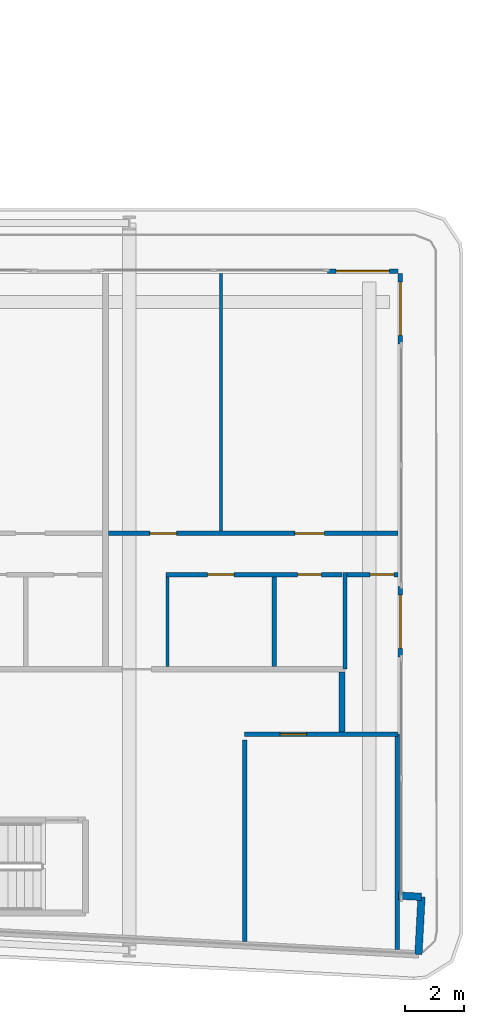
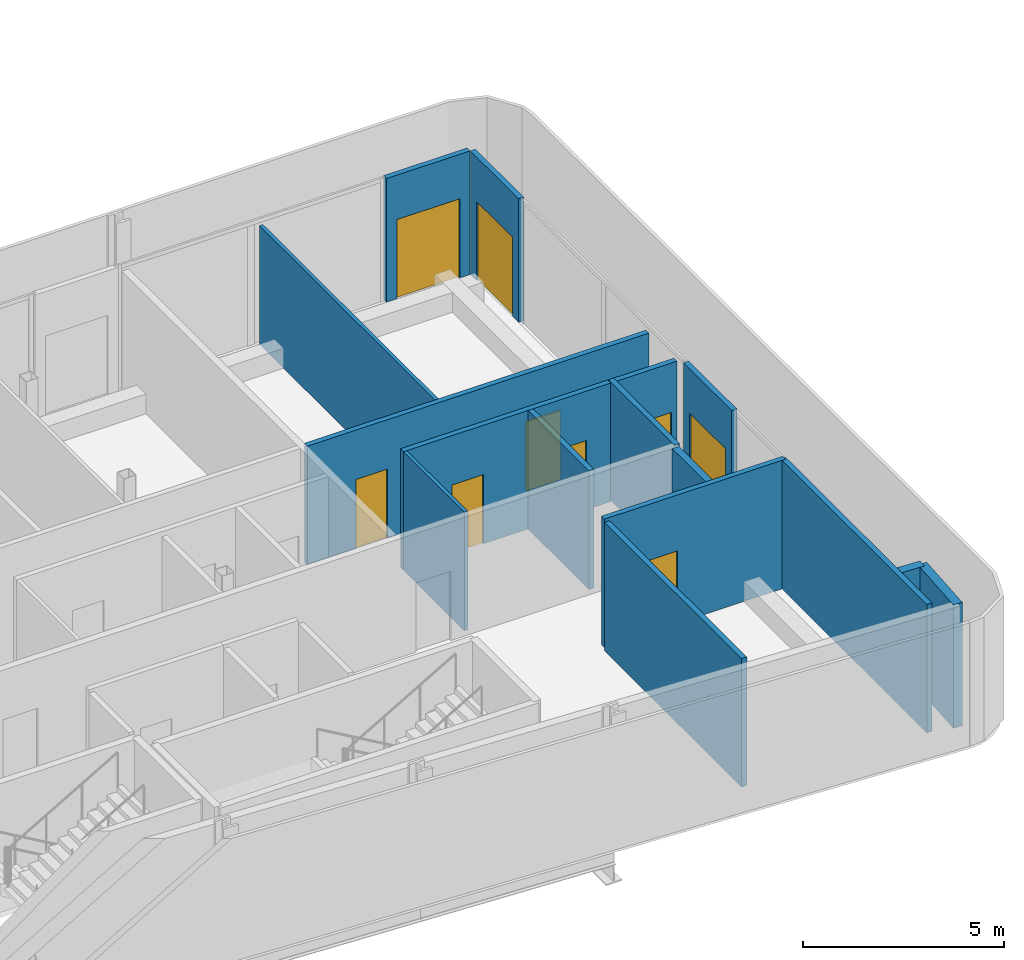
# One storey, part 18 of 27: 16 walls, 9 doors, 9 openings.
"""IFC4 building model written with IfcOpenShell, lengths in metres."""

from ifc_helpers import new_model, si_unit, direction, frame, frame_2d, origin, place, context, subcontext, project, spatial, rectangle, extrude, source, transform, mapped, material, layer, layer_set, type_object, element, fill, save


model = new_model("IFC4")

# Units and contexts
model_context = context("Model", 3, precision=1e-05, world=origin(), true_north=direction((0.0, 1.0)))
body_context = subcontext(model_context, "Body", "Model", "MODEL_VIEW")
ifc_project = project(units=[si_unit("LENGTHUNIT", "METRE"), si_unit("AREAUNIT", "SQUARE_METRE"), si_unit("VOLUMEUNIT", "CUBIC_METRE"), si_unit("PLANEANGLEUNIT", "RADIAN"), si_unit("MASSUNIT", "GRAM", prefix="KILO")], contexts=[model_context])

# Site, building, storey
site_placement = place(None, origin())
site = spatial("IfcSite", under=ifc_project, at=site_placement, CompositionType="ELEMENT")
building_placement = place(site_placement, origin())
building = spatial("IfcBuilding", under=site, at=building_placement, Name="Kheshtan School and Residences Tower", CompositionType="ELEMENT")
storey_placement = place(building_placement, frame((0.0, 0.0, 53.89990234375)))
storey = spatial("IfcBuildingStorey", under=building, at=storey_placement, Name="L12", CompositionType="ELEMENT", Elevation=53.89990234375)

# Walls
ifc_material_1 = material(Name="Gypsum board on steel studs with fire boards", Category="steel")
ifc_layer_1 = layer(ifc_material_1, 0.199951171875)
ifc_layer_set_1 = layer_set([ifc_layer_1], Name="Corridor wall 200")
wall_type_1 = type_object("IfcWallType", Name="Corridor wall 200", PredefinedType="PARTITIONING", material=ifc_layer_set_1)
wall_1_placement = place(storey_placement, frame((98.0, 28.3740234375, 0.0), z_axis=(0.0, 0.0, 1.0), x_axis=(0.0, 1.0, 0.0)))
element("IfcWall", 1, at=wall_1_placement, inside=storey, type_object=wall_type_1, Name="Partition L12-080", PredefinedType="PARTITIONING", context=body_context, shape_type="SweptSolid", body=[
    extrude(rectangle(XDim=2.02587890625, YDim=0.199951171875, at=frame_2d((1.012939453125, 0.0))), origin(), (0.0, 0.0, 1.0), 3.60009765625),
])
ifc_material_2 = material(Name="Concrete C40/50 with ceramic cladding and mineral wool insulation", Category="concrete")
ifc_layer_2 = layer(ifc_material_2, 0.25)
ifc_layer_set_2 = layer_set([ifc_layer_2], Name="External wall 250 ceramic clad")
wall_type_2 = type_object("IfcWallType", Name="External wall 250 ceramic clad", PredefinedType="SOLIDWALL", material=ifc_layer_set_2)
wall_2_placement = place(storey_placement, frame((99.906982421875, 22.839111328125, 0.0), z_axis=(0.0, 0.0, 1.0), x_axis=(0.998561284263, -0.053622398031, 0.0)))
element("IfcWall", 2, at=wall_2_placement, inside=storey, type_object=wall_type_2, Name="External wall L12 14", PredefinedType="SOLIDWALL", context=body_context, shape_type="SweptSolid", body=[
    extrude(rectangle(XDim=0.783203125, YDim=0.25, at=frame_2d((0.3916015625, 0.0))), origin(), (0.0, 0.0, 1.0), 3.75),
])
wall_3_placement = place(storey_placement, frame((100.68896484375, 22.797119140625, 0.0), z_axis=(0.0, 0.0, 1.0), x_axis=(-0.052841433274, -0.998602915542, 0.0)))
element("IfcWall", 3, at=wall_3_placement, inside=storey, type_object=wall_type_2, Name="External wall L12 15", PredefinedType="SOLIDWALL", context=body_context, shape_type="SweptSolid", body=[
    extrude(rectangle(XDim=1.94970703125, YDim=0.25, at=frame_2d((0.974853515625, 0.0))), origin(), (0.0, 0.0, 1.0), 3.75),
])

# Wall, opening, door
ifc_material_3 = material(Name="Aluminium frame wall with insulated infill", Category="aluminium")
ifc_layer_3 = layer(ifc_material_3, 0.14990234375)
ifc_layer_set_3 = layer_set([ifc_layer_3], Name="Glazing frame wall 150")
wall_type_3 = type_object("IfcWallType", Name="Glazing frame wall 150", PredefinedType="SOLIDWALL", material=ifc_layer_set_3)
wall_4_placement = place(storey_placement, frame((97.5, 43.97509765625, 0.0), z_axis=(0.0, 0.0, 1.0), x_axis=(1.0, 0.0, 0.0)))
wall_4 = element("IfcWall", 4, at=wall_4_placement, inside=storey, type_object=wall_type_3, Name="Balcony door wall L12 12.5", PredefinedType="SOLIDWALL", context=body_context, shape_type="SweptSolid", body=[
    extrude(rectangle(XDim=2.39990234375, YDim=0.14990234375, at=frame_2d((1.199951171875, 0.0))), origin(), (0.0, 0.0, 1.0), 3.75),
])
opening_1_placement = place(wall_4_placement, frame((0.300048828125, 0.0, 0.0)))
opening_1 = element("IfcOpeningElement", 5, at=opening_1_placement, cuts=wall_4, Name="Opening BD", PredefinedType="OPENING", context=body_context, shape_type="SweptSolid", body=[
    extrude(rectangle(XDim=1.800048828125, YDim=2.39990234375, at=frame_2d((0.89990234375, 1.199951171875))), frame((0.0, 0.0849609375, 0.0), z_axis=(0.0, -1.0, 0.0), x_axis=(1.0, 0.0, 0.0)), (0.0, 0.0, 1.0), 0.169921875),
])
ifc_material_4 = material(Name="Clear low-e glass in thermally broken aluminium frame", Category="aluminium")
door_type_1 = type_object("IfcDoorType", Name="Balcony sliding door", OperationType="SLIDING_TO_LEFT", PredefinedType="DOOR", material=ifc_material_4)
shared_shape_1 = source(origin(), body_context, "Body", "SweptSolid", [
    extrude(rectangle(XDim=1.800048828125, YDim=2.39990234375, at=frame_2d((0.89990234375, 1.199951171875))), frame((0.0, 0.02490234375, 0.0), z_axis=(0.0, -1.0, 0.0), x_axis=(1.0, 0.0, 0.0)), (0.0, 0.0, 1.0), 0.050048828125),
])
door_1_placement = place(opening_1_placement, origin())
door_1 = element("IfcDoor", 6, at=door_1_placement, inside=storey, type_object=door_type_1, Name="Balcony door L12 12.5", OperationType="SLIDING_TO_LEFT", OverallHeight=2.39990234375, OverallWidth=1.800048828125, PredefinedType="DOOR", context=body_context, shape_type="MappedRepresentation", body=[
    mapped(shared_shape_1, transform((0.0, 0.0, 0.0), x_axis=(1.0, 0.0, 0.0), y_axis=(0.0, 1.0, 0.0), z_axis=(0.0, 0.0, 1.0), scale=1.0)),
])
fill(opening_1, door_1)

wall_5_placement = place(storey_placement, frame((99.97509765625, 43.89990234375, 0.0), z_axis=(0.0, 0.0, 1.0), x_axis=(0.0, -1.0, 0.0)))
wall_5 = element("IfcWall", 7, at=wall_5_placement, inside=storey, type_object=wall_type_3, Name="Balcony door wall L12 13.1", PredefinedType="SOLIDWALL", context=body_context, shape_type="SweptSolid", body=[
    extrude(rectangle(XDim=2.39990234375, YDim=0.14990234375, at=frame_2d((1.199951171875, 0.0))), origin(), (0.0, 0.0, 1.0), 3.75),
])
opening_2_placement = place(wall_5_placement, frame((0.300048828125, 0.0, 0.0)))
opening_2 = element("IfcOpeningElement", 8, at=opening_2_placement, cuts=wall_5, Name="Opening BD", PredefinedType="OPENING", context=body_context, shape_type="SweptSolid", body=[
    extrude(rectangle(XDim=1.800048828125, YDim=2.39990234375, at=frame_2d((0.89990234375, 1.199951171875))), frame((0.0, 0.0849609375, 0.0), z_axis=(0.0, -1.0, 0.0), x_axis=(1.0, 0.0, 0.0)), (0.0, 0.0, 1.0), 0.169921875),
])
door_2_placement = place(opening_2_placement, origin())
door_2 = element("IfcDoor", 9, at=door_2_placement, inside=storey, type_object=door_type_1, Name="Balcony door L12 13.1", OperationType="SLIDING_TO_LEFT", OverallHeight=2.39990234375, OverallWidth=1.800048828125, PredefinedType="DOOR", context=body_context, shape_type="MappedRepresentation", body=[
    mapped(shared_shape_1, transform((0.0, 0.0, 0.0), x_axis=(1.0, 0.0, 0.0), y_axis=(0.0, 1.0, 0.0), z_axis=(0.0, 0.0, 1.0), scale=1.0)),
])
fill(opening_2, door_2)

wall_6_placement = place(storey_placement, frame((99.97509765625, 33.306884765625, 0.0), z_axis=(0.0, 0.0, 1.0), x_axis=(0.0, -1.0, 0.0)))
wall_6 = element("IfcWall", 10, at=wall_6_placement, inside=storey, type_object=wall_type_3, Name="Balcony door wall L12 13.2", PredefinedType="SOLIDWALL", context=body_context, shape_type="SweptSolid", body=[
    extrude(rectangle(XDim=2.39990234375, YDim=0.14990234375, at=frame_2d((1.199951171875, 0.0))), origin(), (0.0, 0.0, 1.0), 3.75),
])
opening_3_placement = place(wall_6_placement, frame((0.300048828125, 0.0, 0.0)))
opening_3 = element("IfcOpeningElement", 11, at=opening_3_placement, cuts=wall_6, Name="Opening BD", PredefinedType="OPENING", context=body_context, shape_type="SweptSolid", body=[
    extrude(rectangle(XDim=1.800048828125, YDim=2.39990234375, at=frame_2d((0.89990234375, 1.199951171875))), frame((0.0, 0.0849609375, 0.0), z_axis=(0.0, -1.0, 0.0), x_axis=(1.0, 0.0, 0.0)), (0.0, 0.0, 1.0), 0.169921875),
])
door_3_placement = place(opening_3_placement, origin())
door_3 = element("IfcDoor", 12, at=door_3_placement, inside=storey, type_object=door_type_1, Name="Balcony door L12 13.2", OperationType="SLIDING_TO_LEFT", OverallHeight=2.39990234375, OverallWidth=1.800048828125, PredefinedType="DOOR", context=body_context, shape_type="MappedRepresentation", body=[
    mapped(shared_shape_1, transform((0.0, 0.0, 0.0), x_axis=(1.0, 0.0, 0.0), y_axis=(0.0, 1.0, 0.0), z_axis=(0.0, 0.0, 1.0), scale=1.0)),
])
fill(opening_3, door_3)

# Walls
ifc_material_5 = material(Name="Gypsum board on steel studs", Category="steel")
ifc_layer_4 = layer(ifc_material_5, 0.10009765625)
ifc_layer_set_4 = layer_set([ifc_layer_4], Name="Gypsum partition 100")
wall_type_4 = type_object("IfcWallType", Name="Gypsum partition 100", PredefinedType="PARTITIONING", material=ifc_layer_set_4)
wall_7_placement = place(storey_placement, frame((92.10009765625, 30.60009765625, 0.0), z_axis=(0.0, 0.0, 1.0), x_axis=(0.0, 1.0, 0.0)))
element("IfcWall", 13, at=wall_7_placement, inside=storey, type_object=wall_type_4, Name="Partition L12-077", PredefinedType="PARTITIONING", context=body_context, shape_type="SweptSolid", body=[
    extrude(rectangle(XDim=3.02490234375, YDim=0.10009765625, at=frame_2d((1.512451171875, 0.0))), origin(), (0.0, 0.0, 1.0), 3.60009765625),
])
wall_8_placement = place(storey_placement, frame((93.89990234375, 35.175048828125, 0.0), z_axis=(0.0, 0.0, 1.0), x_axis=(0.0, 1.0, 0.0)))
element("IfcWall", 14, at=wall_8_placement, inside=storey, type_object=wall_type_4, Name="Partition L12-078", PredefinedType="PARTITIONING", context=body_context, shape_type="SweptSolid", body=[
    extrude(rectangle(XDim=8.724853515625, YDim=0.10009765625, at=frame_2d((4.3623046875, 0.0))), origin(), (0.0, 0.0, 1.0), 3.60009765625),
])
ifc_material_6 = material(Name="Fire-board shaft wall system")
ifc_layer_5 = layer(ifc_material_6, 0.14990234375)
ifc_layer_set_5 = layer_set([ifc_layer_5], Name="Service room wall 150")
wall_type_5 = type_object("IfcWallType", Name="Service room wall 150", PredefinedType="PARTITIONING", material=ifc_layer_set_5)
wall_9_placement = place(storey_placement, frame((99.8701171875, 21.014892578125, 0.0), z_axis=(0.0, 0.0, 1.0), x_axis=(0.0, 1.0, 0.0)))
element("IfcWall", 15, at=wall_9_placement, inside=storey, type_object=wall_type_5, Name="Service room wall", PredefinedType="PARTITIONING", context=body_context, shape_type="SweptSolid", body=[
    extrude(rectangle(XDim=7.28515625, YDim=0.14990234375, at=frame_2d((3.642578125, 0.0))), origin(), (0.0, 0.0, 1.0), 3.900146484375),
])

# Wall, opening, door
wall_10_placement = place(storey_placement, frame((94.7060546875, 28.300048828125, 0.0), z_axis=(0.0, 0.0, 1.0), x_axis=(1.0, 0.0, 0.0)))
wall_10 = element("IfcWall", 16, at=wall_10_placement, inside=storey, type_object=wall_type_5, Name="Service room wall", PredefinedType="PARTITIONING", context=body_context, shape_type="SweptSolid", body=[
    extrude(rectangle(XDim=5.19189453125, YDim=0.14990234375, at=frame_2d((2.595947265625, 0.0))), origin(), (0.0, 0.0, 1.0), 3.900146484375),
])
opening_4_placement = place(wall_10_placement, frame((1.197021484375, 0.0, 0.0)))
opening_4 = element("IfcOpeningElement", 17, at=opening_4_placement, cuts=wall_10, Name="Opening SR90", PredefinedType="OPENING", context=body_context, shape_type="SweptSolid", body=[
    extrude(rectangle(XDim=0.89990234375, YDim=2.199951171875, at=frame_2d((0.449951171875, 1.10009765625))), frame((0.0, 0.0849609375, 0.0), z_axis=(0.0, -1.0, 0.0), x_axis=(1.0, 0.0, 0.0)), (0.0, 0.0, 1.0), 0.169921875),
])
ifc_material_7 = material(Name="Steel door leaf, galvanised", Category="steel")
door_type_2 = type_object("IfcDoorType", Name="Service room door 900 steel 90 min", OperationType="SINGLE_SWING_LEFT", PredefinedType="DOOR", material=ifc_material_7)
shared_shape_2 = source(origin(), body_context, "Body", "SweptSolid", [
    extrude(rectangle(XDim=0.89990234375, YDim=2.199951171875, at=frame_2d((0.449951171875, 1.10009765625))), frame((0.0, 0.02490234375, 0.0), z_axis=(0.0, -1.0, 0.0), x_axis=(1.0, 0.0, 0.0)), (0.0, 0.0, 1.0), 0.050048828125),
])
door_4_placement = place(opening_4_placement, origin())
door_4 = element("IfcDoor", 18, at=door_4_placement, inside=storey, type_object=door_type_2, Name="Service room door", OperationType="SINGLE_SWING_LEFT", OverallHeight=2.199951171875, OverallWidth=0.89990234375, PredefinedType="DOOR", context=body_context, shape_type="MappedRepresentation", body=[
    mapped(shared_shape_2, transform((0.0, 0.0, 0.0), x_axis=(1.0, 0.0, 0.0), y_axis=(0.0, 1.0, 0.0), z_axis=(0.0, 0.0, 1.0), scale=1.0)),
])
fill(opening_4, door_4)

# Wall
wall_11_placement = place(storey_placement, frame((94.7060546875, 21.287109375, 0.0), z_axis=(0.0, 0.0, 1.0), x_axis=(0.0, 1.0, 0.0)))
element("IfcWall", 19, at=wall_11_placement, inside=storey, type_object=wall_type_5, Name="Service room wall", PredefinedType="PARTITIONING", context=body_context, shape_type="SweptSolid", body=[
    extrude(rectangle(XDim=6.81787109375, YDim=0.14990234375, at=frame_2d((3.408935546875, 0.0))), origin(), (0.0, 0.0, 1.0), 3.900146484375),
])

# Wall, openings, doors
ifc_material_8 = material(Name="Moisture-resistant gypsum board on steel studs", Category="steel")
ifc_layer_6 = layer(ifc_material_8, 0.14990234375)
ifc_layer_set_6 = layer_set([ifc_layer_6], Name="Wet-room partition 150")
wall_type_6 = type_object("IfcWallType", Name="Wet-room partition 150", PredefinedType="PARTITIONING", material=ifc_layer_set_6)
wall_12_placement = place(storey_placement, frame((90.10009765625, 35.10009765625, 0.0), z_axis=(0.0, 0.0, 1.0), x_axis=(1.0, 0.0, 0.0)))
wall_12 = element("IfcWall", 20, at=wall_12_placement, inside=storey, type_object=wall_type_6, Name="Partition L12-075", PredefinedType="PARTITIONING", context=body_context, shape_type="SweptSolid", body=[
    extrude(rectangle(XDim=9.7998046875, YDim=0.14990234375, at=frame_2d((4.89990234375, 0.0))), origin(), (0.0, 0.0, 1.0), 3.60009765625),
])
opening_5_placement = place(wall_12_placement, frame((1.39990234375, 0.0, 0.0)))
opening_5 = element("IfcOpeningElement", 21, at=opening_5_placement, cuts=wall_12, Name="Opening D12-025", PredefinedType="OPENING", context=body_context, shape_type="SweptSolid", body=[
    extrude(rectangle(XDim=0.89990234375, YDim=2.10009765625, at=frame_2d((0.449951171875, 1.050048828125))), frame((0.0, 0.0849609375, 0.0), z_axis=(0.0, -1.0, 0.0), x_axis=(1.0, 0.0, 0.0)), (0.0, 0.0, 1.0), 0.169921875),
])
opening_6_placement = place(wall_12_placement, frame((6.300048828125, 0.0, 0.0)))
opening_6 = element("IfcOpeningElement", 22, at=opening_6_placement, cuts=wall_12, Name="Opening D12-028", PredefinedType="OPENING", context=body_context, shape_type="SweptSolid", body=[
    extrude(rectangle(XDim=1.0, YDim=2.10009765625, at=frame_2d((0.5, 1.050048828125))), frame((0.0, 0.0849609375, 0.0), z_axis=(0.0, -1.0, 0.0), x_axis=(1.0, 0.0, 0.0)), (0.0, 0.0, 1.0), 0.169921875),
])
ifc_material_9 = material(Name="Veneered timber door leaf", Category="wood")
door_type_3 = type_object("IfcDoorType", Name="Door 1000 x 2100", OperationType="SINGLE_SWING_LEFT", PredefinedType="DOOR", material=ifc_material_9)
shared_shape_3 = source(origin(), body_context, "Body", "SweptSolid", [
    extrude(rectangle(XDim=1.0, YDim=2.10009765625, at=frame_2d((0.5, 1.050048828125))), frame((0.0, 0.02490234375, 0.0), z_axis=(0.0, -1.0, 0.0), x_axis=(1.0, 0.0, 0.0)), (0.0, 0.0, 1.0), 0.050048828125),
])
door_5_placement = place(opening_6_placement, origin())
door_5 = element("IfcDoor", 23, at=door_5_placement, inside=storey, type_object=door_type_3, Name="Door D12-028", OperationType="SINGLE_SWING_RIGHT", OverallHeight=2.10009765625, OverallWidth=1.0, PredefinedType="DOOR", context=body_context, shape_type="MappedRepresentation", body=[
    mapped(shared_shape_3, transform((0.0, 0.0, 0.0), x_axis=(1.0, 0.0, 0.0), y_axis=(0.0, 1.0, 0.0), z_axis=(0.0, 0.0, 1.0), scale=1.0)),
])
fill(opening_6, door_5)
door_type_4 = type_object("IfcDoorType", Name="Door 900 x 2100", OperationType="SINGLE_SWING_LEFT", PredefinedType="DOOR", material=ifc_material_9)
shared_shape_4 = source(origin(), body_context, "Body", "SweptSolid", [
    extrude(rectangle(XDim=0.89990234375, YDim=2.10009765625, at=frame_2d((0.449951171875, 1.050048828125))), frame((0.0, 0.02490234375, 0.0), z_axis=(0.0, -1.0, 0.0), x_axis=(1.0, 0.0, 0.0)), (0.0, 0.0, 1.0), 0.050048828125),
])
door_6_placement = place(opening_5_placement, origin())
door_6 = element("IfcDoor", 24, at=door_6_placement, inside=storey, type_object=door_type_4, Name="Door D12-025", OperationType="SINGLE_SWING_RIGHT", OverallHeight=2.10009765625, OverallWidth=0.89990234375, PredefinedType="DOOR", context=body_context, shape_type="MappedRepresentation", body=[
    mapped(shared_shape_4, transform((0.0, 0.0, 0.0), x_axis=(1.0, 0.0, 0.0), y_axis=(0.0, 1.0, 0.0), z_axis=(0.0, 0.0, 1.0), scale=1.0)),
])
fill(opening_5, door_6)

wall_13_placement = place(storey_placement, frame((92.050048828125, 33.699951171875, 0.0), z_axis=(0.0, 0.0, 1.0), x_axis=(1.0, 0.0, 0.0)))
wall_13 = element("IfcWall", 25, at=wall_13_placement, inside=storey, type_object=wall_type_6, Name="Partition L12-076", PredefinedType="PARTITIONING", context=body_context, shape_type="SweptSolid", body=[
    extrude(rectangle(XDim=5.949951171875, YDim=0.14990234375, at=frame_2d((2.97509765625, 0.0))), origin(), (0.0, 0.0, 1.0), 3.60009765625),
])
opening_7_placement = place(wall_13_placement, frame((4.449951171875, 0.0, 0.0)))
opening_7 = element("IfcOpeningElement", 26, at=opening_7_placement, cuts=wall_13, Name="Opening D12-024", PredefinedType="OPENING", context=body_context, shape_type="SweptSolid", body=[
    extrude(rectangle(XDim=0.800048828125, YDim=2.10009765625, at=frame_2d((0.39990234375, 1.050048828125))), frame((0.0, 0.0849609375, 0.0), z_axis=(0.0, -1.0, 0.0), x_axis=(1.0, 0.0, 0.0)), (0.0, 0.0, 1.0), 0.169921875),
])
opening_8_placement = place(wall_13_placement, frame((1.39990234375, 0.0, 0.0)))
opening_8 = element("IfcOpeningElement", 27, at=opening_8_placement, cuts=wall_13, Name="Opening D12-027", PredefinedType="OPENING", context=body_context, shape_type="SweptSolid", body=[
    extrude(rectangle(XDim=0.89990234375, YDim=2.10009765625, at=frame_2d((0.449951171875, 1.050048828125))), frame((0.0, 0.0849609375, 0.0), z_axis=(0.0, -1.0, 0.0), x_axis=(1.0, 0.0, 0.0)), (0.0, 0.0, 1.0), 0.169921875),
])
door_type_5 = type_object("IfcDoorType", Name="Door 800 x 2100", OperationType="SINGLE_SWING_LEFT", PredefinedType="DOOR", material=ifc_material_9)
shared_shape_5 = source(origin(), body_context, "Body", "SweptSolid", [
    extrude(rectangle(XDim=0.800048828125, YDim=2.10009765625, at=frame_2d((0.39990234375, 1.050048828125))), frame((0.0, 0.02490234375, 0.0), z_axis=(0.0, -1.0, 0.0), x_axis=(1.0, 0.0, 0.0)), (0.0, 0.0, 1.0), 0.050048828125),
])
door_7_placement = place(opening_7_placement, origin())
door_7 = element("IfcDoor", 28, at=door_7_placement, inside=storey, type_object=door_type_5, Name="Door D12-024", OperationType="SINGLE_SWING_LEFT", OverallHeight=2.10009765625, OverallWidth=0.800048828125, PredefinedType="DOOR", context=body_context, shape_type="MappedRepresentation", body=[
    mapped(shared_shape_5, transform((0.0, 0.0, 0.0), x_axis=(1.0, 0.0, 0.0), y_axis=(0.0, 1.0, 0.0), z_axis=(0.0, 0.0, 1.0), scale=1.0)),
])
fill(opening_7, door_7)
door_8_placement = place(opening_8_placement, origin())
door_8 = element("IfcDoor", 29, at=door_8_placement, inside=storey, type_object=door_type_4, Name="Door D12-027", OperationType="SINGLE_SWING_LEFT", OverallHeight=2.10009765625, OverallWidth=0.89990234375, PredefinedType="DOOR", context=body_context, shape_type="MappedRepresentation", body=[
    mapped(shared_shape_4, transform((0.0, 0.0, 0.0), x_axis=(1.0, 0.0, 0.0), y_axis=(0.0, 1.0, 0.0), z_axis=(0.0, 0.0, 1.0), scale=1.0)),
])
fill(opening_8, door_8)

# Walls
wall_14_placement = place(storey_placement, frame((95.699951171875, 30.60009765625, 0.0), z_axis=(0.0, 0.0, 1.0), x_axis=(0.0, 1.0, 0.0)))
element("IfcWall", 30, at=wall_14_placement, inside=storey, type_object=wall_type_6, Name="Partition L12-079", PredefinedType="PARTITIONING", context=body_context, shape_type="SweptSolid", body=[
    extrude(rectangle(XDim=3.02490234375, YDim=0.14990234375, at=frame_2d((1.512451171875, 0.0))), origin(), (0.0, 0.0, 1.0), 3.60009765625),
])
wall_15_placement = place(storey_placement, frame((98.10009765625, 30.5, 0.0), z_axis=(0.0, 0.0, 1.0), x_axis=(0.0, 1.0, 0.0)))
element("IfcWall", 31, at=wall_15_placement, inside=storey, type_object=wall_type_6, Name="Partition L12-081", PredefinedType="PARTITIONING", context=body_context, shape_type="SweptSolid", body=[
    extrude(rectangle(XDim=3.27490234375, YDim=0.14990234375, at=frame_2d((1.637451171875, 0.0))), origin(), (0.0, 0.0, 1.0), 3.60009765625),
])

# Wall, opening, door
wall_16_placement = place(storey_placement, frame((98.175048828125, 33.699951171875, 0.0), z_axis=(0.0, 0.0, 1.0), x_axis=(1.0, 0.0, 0.0)))
wall_16 = element("IfcWall", 32, at=wall_16_placement, inside=storey, type_object=wall_type_6, Name="Partition L12-082", PredefinedType="PARTITIONING", context=body_context, shape_type="SweptSolid", body=[
    extrude(rectangle(XDim=1.724853515625, YDim=0.14990234375, at=frame_2d((0.8623046875, 0.0))), origin(), (0.0, 0.0, 1.0), 3.60009765625),
])
opening_9_placement = place(wall_16_placement, frame((0.77490234375, 0.0, 0.0)))
opening_9 = element("IfcOpeningElement", 33, at=opening_9_placement, cuts=wall_16, Name="Opening D12-029", PredefinedType="OPENING", context=body_context, shape_type="SweptSolid", body=[
    extrude(rectangle(XDim=0.800048828125, YDim=2.10009765625, at=frame_2d((0.39990234375, 1.050048828125))), frame((0.0, 0.0849609375, 0.0), z_axis=(0.0, -1.0, 0.0), x_axis=(1.0, 0.0, 0.0)), (0.0, 0.0, 1.0), 0.169921875),
])
door_9_placement = place(opening_9_placement, origin())
door_9 = element("IfcDoor", 34, at=door_9_placement, inside=storey, type_object=door_type_5, Name="Door D12-029", OperationType="SINGLE_SWING_RIGHT", OverallHeight=2.10009765625, OverallWidth=0.800048828125, PredefinedType="DOOR", context=body_context, shape_type="MappedRepresentation", body=[
    mapped(shared_shape_5, transform((0.0, 0.0, 0.0), x_axis=(1.0, 0.0, 0.0), y_axis=(0.0, 1.0, 0.0), z_axis=(0.0, 0.0, 1.0), scale=1.0)),
])
fill(opening_9, door_9)

save(model, "model.ifc")
